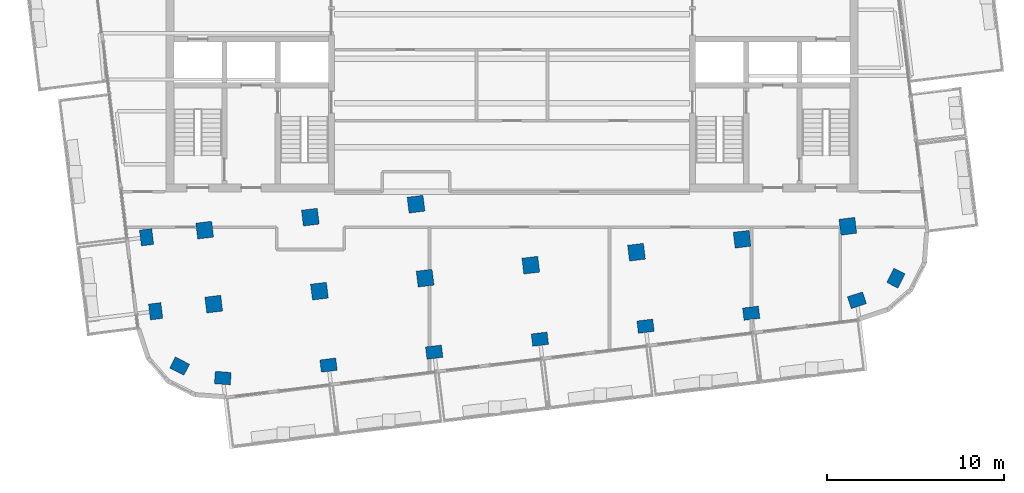
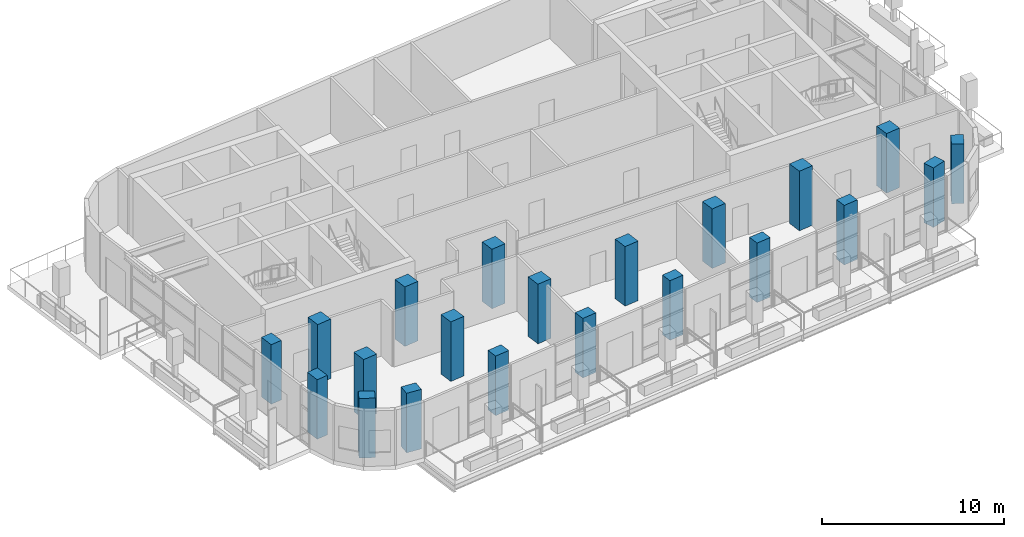
# One storey, part 1 of 14: 21 columns.
"""IFC4 building model written with IfcOpenShell, lengths in metres."""

from ifc_helpers import new_model, si_unit, direction, frame, origin, origin_2d, place, context, subcontext, project, spatial, rectangle, extrude, material, material_profile, profile_set, type_object, element, save


model = new_model("IFC4")

# Units and contexts
model_context = context("Model", 3, precision=1e-05, world=origin(), true_north=direction((0.0, 1.0)))
body_context = subcontext(model_context, "Body", "Model", "MODEL_VIEW")
ifc_project = project(units=[si_unit("LENGTHUNIT", "METRE"), si_unit("AREAUNIT", "SQUARE_METRE"), si_unit("VOLUMEUNIT", "CUBIC_METRE"), si_unit("PLANEANGLEUNIT", "RADIAN"), si_unit("MASSUNIT", "GRAM", prefix="KILO")], contexts=[model_context])

# Site, building, storey
site_placement = place(None, origin())
site = spatial("IfcSite", under=ifc_project, at=site_placement, CompositionType="ELEMENT")
building_placement = place(site_placement, origin())
building = spatial("IfcBuilding", under=site, at=building_placement, Name="Torana Hotel and Residences", CompositionType="ELEMENT")
storey_placement = place(building_placement, frame((0.0, 0.0, 318.60009765625)))
storey = spatial("IfcBuildingStorey", under=building, at=storey_placement, Name="L84", CompositionType="ELEMENT", Elevation=318.60009765625)

# Columns
ifc_material_1 = material(Name="Concrete C45/55", Category="concrete")
ifc_material_profile_1 = material_profile(ifc_material_1, rectangle(XDim=0.89990234375, YDim=0.699951171875, at=origin_2d()), Name="RC 900x700")
ifc_profile_set_1 = profile_set([ifc_material_profile_1], Name="Concrete C45/55")
column_type_1 = type_object("IfcColumnType", Name="COLUMN RC 900x700 C45/55", PredefinedType="COLUMN", material=ifc_profile_set_1)
for number, where, z_axis, x_axis, name in (
    (1, (-20.593017578125, -17.56201171875, 0.0), (0.0, 0.0, 1.0), (-0.121869343405, 0.992546151641, 0.0), "Column L84"),
    (2, (-20.0810546875, -21.73095703125, 0.0), (0.0, 0.0, 1.0), (-0.121869343405, 0.992546151641, 0.0), "Column L84"),
    (3, (-18.72802734375, -24.822998046875, 0.0), (0.0, 0.0, 1.0), (-0.892978943411, 0.450098441037, 0.0), "Column L84"),
    (4, (-16.2939453125, -25.4970703125, 0.0), (0.0, 0.0, 1.0), (-0.997251478385, 0.074091084885, 0.0), "Column L84"),
    (5, (-10.337890625, -24.76611328125, 0.0), (0.0, 0.0, 1.0), (0.992546151641, 0.121869343405, 0.0), "Column L84"),
    (6, (-4.383056640625, -24.034912109375, 0.0), (0.0, 0.0, 1.0), (0.992546151641, 0.121869343405, 0.0), "Column L84"),
    (7, (1.572021484375, -23.303955078125, 0.0), (0.0, 0.0, 1.0), (0.992546151641, 0.121869343405, 0.0), "Column L84"),
    (8, (7.527099609375, -22.572998046875, 0.0), (0.0, 0.0, 1.0), (0.992546151641, 0.121869343405, 0.0), "Column L84"),
    (9, (13.48291015625, -21.841064453125, 0.0), (0.0, 0.0, 1.0), (0.992546151641, 0.121869343405, 0.0), "Column L84"),
    (10, (19.43798828125, -21.110107421875, 0.0), (0.0, 0.0, 1.0), (0.949693660318, 0.313180381813, 0.0), "Column L84"),
    (11, (21.635986328125, -19.865966796875, 0.0), (0.0, 0.0, 1.0), (0.450098441037, 0.892978943411, 0.0), "Column L84"),
):
    element("IfcColumn", number, at=place(storey_placement, frame(where, z_axis=z_axis, x_axis=x_axis)), inside=storey, type_object=column_type_1, Name=name, PredefinedType="COLUMN", context=body_context, shape_type="SweptSolid", body=[
        extrude(rectangle(XDim=0.89990234375, YDim=0.699951171875, at=origin_2d()), origin(), (0.0, 0.0, 1.0), 4.0),
    ])
ifc_material_2 = material(Name="Concrete C45/55", Category="concrete")
ifc_material_profile_2 = material_profile(ifc_material_2, rectangle(XDim=0.89990234375, YDim=0.89990234375, at=origin_2d()), Name="RC 900x900")
ifc_profile_set_2 = profile_set([ifc_material_profile_2], Name="Concrete C45/55")
column_type_2 = type_object("IfcColumnType", Name="COLUMN RC 900x900 C45/55", PredefinedType="COLUMN", material=ifc_profile_set_2)
for number, where, z_axis, x_axis, name in (
    (12, (-17.31689453125, -17.159912109375, 0.0), (0.0, 0.0, 1.0), (0.992546151641, 0.121869343405, 0.0), "Column L84"),
    (13, (-16.805908203125, -21.3291015625, 0.0), (0.0, 0.0, 1.0), (0.992546151641, 0.121869343405, 0.0), "Column L84"),
    (14, (-11.362060546875, -16.428955078125, 0.0), (0.0, 0.0, 1.0), (0.992546151641, 0.121869343405, 0.0), "Column L84"),
    (15, (-10.85009765625, -20.597900390625, 0.0), (0.0, 0.0, 1.0), (0.992546151641, 0.121869343405, 0.0), "Column L84"),
    (16, (-5.406982421875, -15.697998046875, 0.0), (0.0, 0.0, 1.0), (0.992546151641, 0.121869343405, 0.0), "Column L84"),
    (17, (-4.89501953125, -19.865966796875, 0.0), (0.0, 0.0, 1.0), (0.992546151641, 0.121869343405, 0.0), "Column L84"),
    (18, (1.06005859375, -19.135009765625, 0.0), (0.0, 0.0, 1.0), (0.992546151641, 0.121869343405, 0.0), "Column L84"),
    (19, (7.01611328125, -18.404052734375, 0.0), (0.0, 0.0, 1.0), (0.992546151641, 0.121869343405, 0.0), "Column L84"),
    (20, (12.970947265625, -17.673095703125, 0.0), (0.0, 0.0, 1.0), (0.992546151641, 0.121869343405, 0.0), "Column L84"),
    (21, (18.926025390625, -16.94189453125, 0.0), (0.0, 0.0, 1.0), (0.992546151641, 0.121869343405, 0.0), "Column L84"),
):
    element("IfcColumn", number, at=place(storey_placement, frame(where, z_axis=z_axis, x_axis=x_axis)), inside=storey, type_object=column_type_2, Name=name, PredefinedType="COLUMN", context=body_context, shape_type="SweptSolid", body=[
        extrude(rectangle(XDim=0.89990234375, YDim=0.89990234375, at=origin_2d()), origin(), (0.0, 0.0, 1.0), 4.0),
    ])

save(model, "model.ifc")
